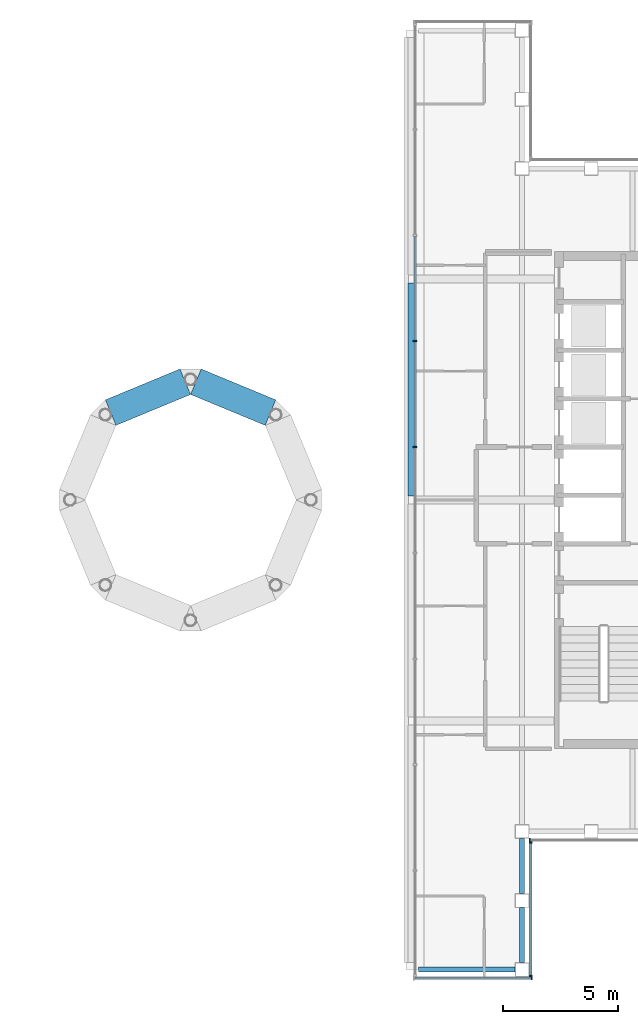
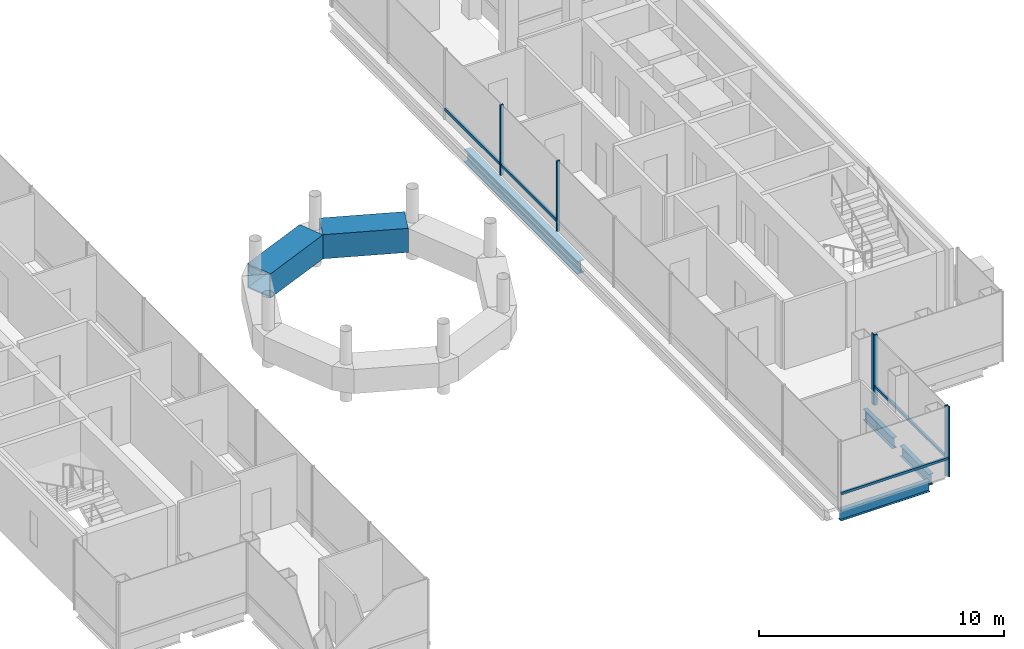
# One storey, part 11 of 21: 10 members, 6 beams, 4 elements without a shape of their own.
"""IFC4 building model written with IfcOpenShell, lengths in metres."""

from ifc_helpers import new_model, si_unit, direction, frame, origin, origin_2d, place, context, subcontext, project, spatial, rectangle, hollow_rectangle, i_section, extrude, material, material_profile, profile_set, type_object, element, aggregate, save


model = new_model("IFC4")

# Units and contexts
model_context = context("Model", 3, precision=1e-05, world=origin(), true_north=direction((0.0, 1.0)))
body_context = subcontext(model_context, "Body", "Model", "MODEL_VIEW")
ifc_project = project(units=[si_unit("LENGTHUNIT", "METRE"), si_unit("AREAUNIT", "SQUARE_METRE"), si_unit("VOLUMEUNIT", "CUBIC_METRE"), si_unit("PLANEANGLEUNIT", "RADIAN"), si_unit("MASSUNIT", "GRAM", prefix="KILO")], contexts=[model_context])

# Site, building, storey
site_placement = place(None, origin())
site = spatial("IfcSite", under=ifc_project, at=site_placement, CompositionType="ELEMENT")
building_placement = place(site_placement, origin())
building = spatial("IfcBuilding", under=site, at=building_placement, Name="Cobrizo Arcos Hotel Tower", CompositionType="ELEMENT")
storey_placement = place(building_placement, frame((0.0, 0.0, 279.5)))
storey = spatial("IfcBuildingStorey", under=building, at=storey_placement, Name="L74", CompositionType="ELEMENT", Elevation=279.5)

# Beams
ifc_material_1 = material(Name="Steel ASTM A572 Grade 50", Category="steel")
ifc_material_profile_1 = material_profile(ifc_material_1, hollow_rectangle(XDim=1.199951171875, YDim=1.199951171875, WallThickness=0.070068359375, at=origin_2d()), Name="BOX 1200X1200X70")
ifc_profile_set_1 = profile_set([ifc_material_profile_1], Name="Steel ASTM A572 Grade 50")
beam_type_1 = type_object("IfcBeamType", Name="BOX 1200X1200X70 drum ring beam", PredefinedType="BEAM", material=ifc_profile_set_1)
for number, where, z_axis, x_axis, name in (
    (1, (3.470458984375, 3.795166015625, 1.2333984375), (-0.923896387827, 0.382642737497, 0.0), (-0.382642737497, -0.923896387827, 0.0), "Drum ring beam RB2, tier 1, no. 1"),
    (2, (-0.2294921875, 5.137451171875, 1.2333984375), (-0.923896387827, -0.382642737497, 0.0), (0.382642737497, -0.923896387827, 0.0), "Drum ring beam RB3, tier 1, no. 2"),
):
    element("IfcBeam", number, at=place(storey_placement, frame(where, z_axis=z_axis, x_axis=x_axis)), inside=storey, type_object=beam_type_1, Name=name, PredefinedType="BEAM", context=body_context, shape_type="SweptSolid", body=[
        extrude(hollow_rectangle(XDim=1.199951171875, YDim=1.199951171875, WallThickness=0.070068359375, at=origin_2d()), origin(), (0.0, 0.0, 1.0), 3.5078125),
    ])

# Curtain wall, member
ifc_material_2 = material(Name="Aluminium 6063-T6 anodised bronze", Category="aluminium")
curtain_wall_type_1 = type_object("IfcCurtainWallType", Name="CW-A guest facade", PredefinedType="NOTDEFINED", material=ifc_material_2)
curtain_wall_1_placement = place(storey_placement, origin())
curtain_wall_1 = element("IfcCurtainWall", 3, at=curtain_wall_1_placement, inside=storey, type_object=curtain_wall_type_1, Name="CW-A L74 S face", PredefinedType="NOTDEFINED")
ifc_material_profile_2 = material_profile(ifc_material_2, rectangle(XDim=0.14990234375, YDim=0.06005859375, at=origin_2d()), Name="CW-A mullion 150x60")
ifc_profile_set_2 = profile_set([ifc_material_profile_2], Name="Aluminium 6063-T6 anodised bronze")
member_type_1 = type_object("IfcMemberType", Name="CW-A mullion 150x60", PredefinedType="MULLION", material=ifc_profile_set_2)
member_1_placement = place(storey_placement, frame((14.820068359375, -20.77490234375, 0.0), z_axis=(0.0, 0.0, 1.0), x_axis=(0.0, -1.0, 0.0)))
member_1 = element("IfcMember", 4, at=member_1_placement, type_object=member_type_1, Name="CW-A mullion 2", PredefinedType="MULLION", context=body_context, shape_type="SweptSolid", body=[
    extrude(rectangle(XDim=0.14990234375, YDim=0.06005859375, at=origin_2d()), origin(), (0.0, 0.0, 1.0), 3.5),
])

# Curtain wall, members
curtain_wall_2_placement = place(storey_placement, origin())
curtain_wall_2 = element("IfcCurtainWall", 5, at=curtain_wall_2_placement, inside=storey, type_object=curtain_wall_type_1, Name="CW-A L74 E face", PredefinedType="NOTDEFINED")
member_2_placement = place(storey_placement, frame((14.77490234375, -20.669921875, 0.0), z_axis=(0.0, 0.0, 1.0), x_axis=(1.0, 0.0, 0.0)))
member_2 = element("IfcMember", 6, at=member_2_placement, type_object=member_type_1, Name="CW-A mullion 1", PredefinedType="MULLION", context=body_context, shape_type="SweptSolid", body=[
    extrude(rectangle(XDim=0.14990234375, YDim=0.06005859375, at=origin_2d()), origin(), (0.0, 0.0, 1.0), 3.5),
])
member_3_placement = place(storey_placement, frame((14.77490234375, -14.8798828125, 0.0), z_axis=(0.0, 0.0, 1.0), x_axis=(1.0, 0.0, 0.0)))
member_3 = element("IfcMember", 7, at=member_3_placement, type_object=member_type_1, Name="CW-A mullion 2", PredefinedType="MULLION", context=body_context, shape_type="SweptSolid", body=[
    extrude(rectangle(XDim=0.14990234375, YDim=0.06005859375, at=origin_2d()), origin(), (0.0, 0.0, 1.0), 3.5),
])

# Curtain wall, member
curtain_wall_3_placement = place(storey_placement, origin())
curtain_wall_3 = element("IfcCurtainWall", 8, at=curtain_wall_3_placement, inside=storey, type_object=curtain_wall_type_1, Name="CW-A L74 S face", PredefinedType="NOTDEFINED")
member_4_placement = place(storey_placement, frame((14.72998046875, -14.77490234375, 0.0), z_axis=(0.0, 0.0, 1.0), x_axis=(0.0, -1.0, 0.0)))
member_4 = element("IfcMember", 9, at=member_4_placement, type_object=member_type_1, Name="CW-A mullion 1", PredefinedType="MULLION", context=body_context, shape_type="SweptSolid", body=[
    extrude(rectangle(XDim=0.14990234375, YDim=0.06005859375, at=origin_2d()), origin(), (0.0, 0.0, 1.0), 3.5),
])
aggregate(curtain_wall_3, [member_4])

# Member
ifc_material_profile_3 = material_profile(ifc_material_2, rectangle(XDim=0.10009765625, YDim=0.1201171875, at=origin_2d()), Name="CW-A transom 120x100")
ifc_profile_set_3 = profile_set([ifc_material_profile_3], Name="Aluminium 6063-T6 anodised bronze")
member_type_2 = type_object("IfcMemberType", Name="CW-A transom 120x100", PredefinedType="USERDEFINED", material=ifc_profile_set_3)
member_5_placement = place(storey_placement, frame((9.73779296875, -20.77490234375, 0.929931640625), z_axis=(1.0, 0.0, 0.0), x_axis=(0.0, 1.0, 0.0)))
member_5 = element("IfcMember", 10, at=member_5_placement, type_object=member_type_2, Name="CW-A transom 2334", ObjectType="TRANSOM", PredefinedType="USERDEFINED", context=body_context, shape_type="SweptSolid", body=[
    extrude(rectangle(XDim=0.10009765625, YDim=0.1201171875, at=origin_2d()), origin(), (0.0, 0.0, 1.0), 5.05224609375),
])

aggregate(curtain_wall_1, [member_1, member_5])

member_6_placement = place(storey_placement, frame((14.77490234375, -20.639892578125, 0.929931640625), z_axis=(0.0, 1.0, 0.0), x_axis=(-1.0, 0.0, 0.0)))
member_6 = element("IfcMember", 11, at=member_6_placement, type_object=member_type_2, Name="CW-A transom 2335", ObjectType="TRANSOM", PredefinedType="USERDEFINED", context=body_context, shape_type="SweptSolid", body=[
    extrude(rectangle(XDim=0.10009765625, YDim=0.1201171875, at=origin_2d()), origin(), (0.0, 0.0, 1.0), 5.72998046875),
])

aggregate(curtain_wall_2, [member_2, member_3, member_6])

# Curtain wall, members
curtain_wall_type_2 = type_object("IfcCurtainWallType", Name="CW-C arch infill and crown glazing", PredefinedType="NOTDEFINED", material=ifc_material_2)
curtain_wall_4_placement = place(storey_placement, origin())
curtain_wall_4 = element("IfcCurtainWall", 12, at=curtain_wall_4_placement, inside=storey, type_object=curtain_wall_type_2, Name="CW-C L74 W face", PredefinedType="NOTDEFINED")
ifc_material_profile_4 = material_profile(ifc_material_2, rectangle(XDim=0.14990234375, YDim=0.070068359375, at=origin_2d()), Name="CW-C mullion 150x70")
ifc_profile_set_4 = profile_set([ifc_material_profile_4], Name="Aluminium 6063-T6 anodised bronze")
member_type_3 = type_object("IfcMemberType", Name="CW-C mullion 150x70", PredefinedType="MULLION", material=ifc_profile_set_4)
member_7_placement = place(storey_placement, frame((9.7529296875, 6.89990234375, 0.0), z_axis=(0.0, 0.0, 1.0), x_axis=(-1.0, 0.0, 0.0)))
member_7 = element("IfcMember", 13, at=member_7_placement, type_object=member_type_3, Name="CW-C mullion 4", PredefinedType="MULLION", context=body_context, shape_type="SweptSolid", body=[
    extrude(rectangle(XDim=0.14990234375, YDim=0.070068359375, at=origin_2d()), origin(), (0.0, 0.0, 1.0), 3.5),
])
member_8_placement = place(storey_placement, frame((9.7529296875, 2.300048828125, 0.0), z_axis=(0.0, 0.0, 1.0), x_axis=(-1.0, 0.0, 0.0)))
member_8 = element("IfcMember", 14, at=member_8_placement, type_object=member_type_3, Name="CW-C mullion 5", PredefinedType="MULLION", context=body_context, shape_type="SweptSolid", body=[
    extrude(rectangle(XDim=0.14990234375, YDim=0.070068359375, at=origin_2d()), origin(), (0.0, 0.0, 1.0), 3.5),
])
ifc_material_profile_5 = material_profile(ifc_material_2, rectangle(XDim=0.10009765625, YDim=0.139892578125, at=origin_2d()), Name="CW-C transom 140x100")
ifc_profile_set_5 = profile_set([ifc_material_profile_5], Name="Aluminium 6063-T6 anodised bronze")
member_type_4 = type_object("IfcMemberType", Name="CW-C transom 140x100", PredefinedType="USERDEFINED", material=ifc_profile_set_5)
member_9_placement = place(storey_placement, frame((9.7529296875, 11.465087890625, 0.5), z_axis=(0.0, -1.0, 0.0), x_axis=(1.0, 0.0, 0.0)))
member_9 = element("IfcMember", 15, at=member_9_placement, type_object=member_type_4, Name="CW-C transom 2327", ObjectType="TRANSOM", PredefinedType="USERDEFINED", context=body_context, shape_type="SweptSolid", body=[
    extrude(rectangle(XDim=0.10009765625, YDim=0.139892578125, at=origin_2d()), origin(), (0.0, 0.0, 1.0), 4.530029296875),
])
member_10_placement = place(storey_placement, frame((9.7529296875, 6.864990234375, 0.5), z_axis=(0.0, -1.0, 0.0), x_axis=(1.0, 0.0, 0.0)))
member_10 = element("IfcMember", 16, at=member_10_placement, type_object=member_type_4, Name="CW-C transom 2328", ObjectType="TRANSOM", PredefinedType="USERDEFINED", context=body_context, shape_type="SweptSolid", body=[
    extrude(rectangle(XDim=0.10009765625, YDim=0.139892578125, at=origin_2d()), origin(), (0.0, 0.0, 1.0), 4.530029296875),
])
aggregate(curtain_wall_4, [member_7, member_8, member_9, member_10])

# Beams
ifc_material_3 = material(Name="Steel ASTM A992 Grade 50", Category="steel")
ifc_material_profile_6 = material_profile(ifc_material_3, i_section(OverallWidth=0.209228515625, OverallDepth=0.533447265625, WebThickness=0.01025390625, FlangeThickness=0.015625, at=origin_2d()), Name="W21X62")
ifc_profile_set_6 = profile_set([ifc_material_profile_6], Name="Steel ASTM A992 Grade 50")
beam_type_2 = type_object("IfcBeamType", Name="W21X62 spandrel", PredefinedType="SPANDREL", material=ifc_profile_set_6)
for number, where, z_axis, x_axis, name in (
    (17, (14.39990234375, -14.699951171875, -0.416748046875), (0.0, -1.0, 0.0), (1.0, 0.0, 0.0), "Spandrel beam W21X62, L74, no. 023"),
    (18, (14.39990234375, -17.699951171875, -0.416748046875), (0.0, -1.0, 0.0), (1.0, 0.0, 0.0), "Spandrel beam W21X62, L74, no. 024"),
):
    element("IfcBeam", number, at=place(storey_placement, frame(where, z_axis=z_axis, x_axis=x_axis)), inside=storey, type_object=beam_type_2, Name=name, PredefinedType="SPANDREL", context=body_context, shape_type="SweptSolid", body=[
        extrude(i_section(OverallWidth=0.209228515625, OverallDepth=0.533447265625, WebThickness=0.01025390625, FlangeThickness=0.015625, at=origin_2d()), origin(), (0.0, 0.0, 1.0), 2.400146484375),
    ])
beam_1_placement = place(storey_placement, frame((14.10009765625, -20.39990234375, -0.416748046875), z_axis=(-1.0, 0.0, 0.0), x_axis=(0.0, -1.0, 0.0)))
element("IfcBeam", 19, at=beam_1_placement, inside=storey, type_object=beam_type_2, Name="Spandrel beam W21X62, L74, no. 025", PredefinedType="SPANDREL", context=body_context, shape_type="SweptSolid", body=[
    extrude(i_section(OverallWidth=0.209228515625, OverallDepth=0.533447265625, WebThickness=0.01025390625, FlangeThickness=0.015625, at=origin_2d()), origin(), (0.0, 0.0, 1.0), 4.2001953125),
])
ifc_material_profile_7 = material_profile(ifc_material_3, i_section(OverallWidth=0.32763671875, OverallDepth=0.622314453125, WebThickness=0.015380859375, FlangeThickness=0.0244140625, at=origin_2d()), Name="W24X131")
ifc_profile_set_7 = profile_set([ifc_material_profile_7], Name="Steel ASTM A992 Grade 50")
beam_type_3 = type_object("IfcBeamType", Name="W24X131 girder", PredefinedType="BEAM", material=ifc_profile_set_7)
beam_2_placement = place(storey_placement, frame((9.60009765625, 0.18408203125, -0.461181640625), z_axis=(0.0, 1.0, 0.0), x_axis=(-1.0, 0.0, 0.0)))
element("IfcBeam", 20, at=beam_2_placement, inside=storey, type_object=beam_type_3, Name="Floor girder G1, L74, no. 013", PredefinedType="BEAM", context=body_context, shape_type="SweptSolid", body=[
    extrude(i_section(OverallWidth=0.32763671875, OverallDepth=0.622314453125, WebThickness=0.015380859375, FlangeThickness=0.0244140625, at=origin_2d()), origin(), (0.0, 0.0, 1.0), 9.231689453125),
])

save(model, "model.ifc")
